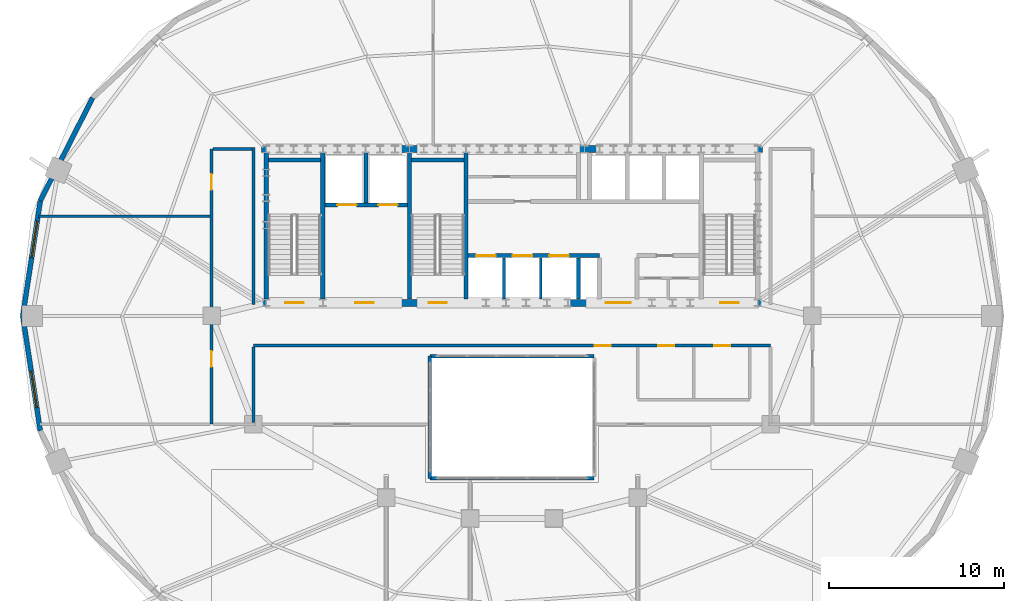
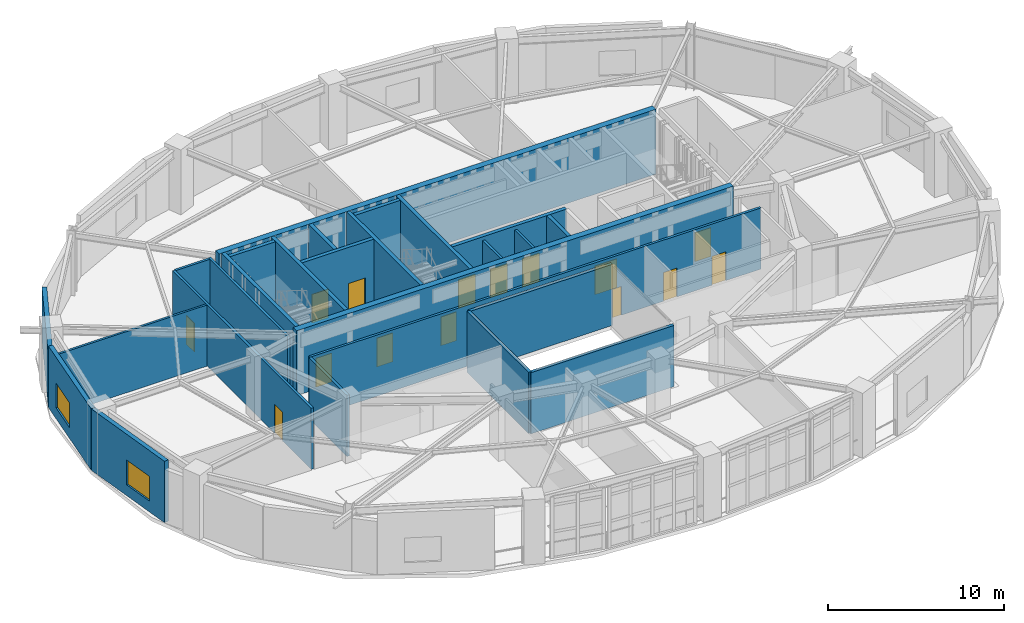
# One storey, part 9 of 13: 26 walls, 15 doors, 2 windows, 17 openings.
"""IFC4 building model written with IfcOpenShell, lengths in metres."""

from ifc_helpers import new_model, si_unit, direction, frame, frame_2d, origin, place, context, subcontext, project, spatial, rectangle, extrude, material, layer, layer_set, type_object, element, fill, save


model = new_model("IFC4")

# Units and contexts
model_context = context("Model", 3, precision=1e-05, world=origin(), true_north=direction((0.0, 1.0)))
body_context = subcontext(model_context, "Body", "Model", "MODEL_VIEW")
ifc_project = project(units=[si_unit("LENGTHUNIT", "METRE"), si_unit("AREAUNIT", "SQUARE_METRE"), si_unit("VOLUMEUNIT", "CUBIC_METRE"), si_unit("PLANEANGLEUNIT", "RADIAN"), si_unit("MASSUNIT", "GRAM", prefix="KILO")], contexts=[model_context])

# Site, building, storey
site_placement = place(None, origin())
site = spatial("IfcSite", under=ifc_project, at=site_placement, CompositionType="ELEMENT")
building_placement = place(site_placement, origin())
building = spatial("IfcBuilding", under=site, at=building_placement, Name="Haldorwick Loom Tower", CompositionType="ELEMENT")
storey_placement = place(building_placement, frame((0.0, 0.0, 188.949951171875)))
storey = spatial("IfcBuildingStorey", under=building, at=storey_placement, Name="L51", CompositionType="ELEMENT", Elevation=188.949951171875)

# Wall
ifc_material_1 = material(Name="Pressed Clay Face Brick and Insulated Masonry Backup Assembly", Category="masonry")
ifc_layer_1 = layer(ifc_material_1, 0.280029296875, Name="Pressed Clay Face Brick and Insulated Masonry Backup Assembly", Category="masonry")
ifc_layer_set_1 = layer_set([ifc_layer_1], Name="Pressed Clay Face Brick and Insulated Masonry Backup Assembly")
wall_type_1 = type_object("IfcWallType", Name="ARC-WL-EXT280", PredefinedType="STANDARD", material=ifc_layer_set_1)
wall_1_placement = place(storey_placement, frame((11.994384765625, 38.4853515625, 0.0), z_axis=(0.0, 0.0, 1.0), x_axis=(-0.453032066879, -0.89149422117, 0.0)))
element("IfcWall", 1, at=wall_1_placement, inside=storey, type_object=wall_type_1, Name="L51 Brick Pier and Spandrel Wall 11", PredefinedType="STANDARD", context=body_context, shape_type="SweptSolid", body=[
    extrude(rectangle(XDim=6.618896484375, YDim=0.280029296875, at=frame_2d((3.3095703125, 0.0))), origin(), (0.0, 0.0, 1.0), 3.691162109375),
])

# Wall, opening, window
wall_2_placement = place(storey_placement, frame((8.995849609375, 32.584716796875, 0.0), z_axis=(0.0, 0.0, 1.0), x_axis=(-0.150467697578, -0.988614926038, 0.0)))
wall_2 = element("IfcWall", 2, at=wall_2_placement, inside=storey, type_object=wall_type_1, Name="L51 Brick Pier and Spandrel Wall 12", PredefinedType="STANDARD", context=body_context, shape_type="SweptSolid", body=[
    extrude(rectangle(XDim=6.66064453125, YDim=0.280029296875, at=frame_2d((3.330322265625, 0.0))), origin(), (0.0, 0.0, 1.0), 4.260009765625),
])
opening_1_placement = place(wall_2_placement, frame((1.17578125, 0.0, 0.75)))
opening_1 = element("IfcOpeningElement", 3, at=opening_1_placement, cuts=wall_2, Name="Opening W-04", PredefinedType="OPENING", context=body_context, shape_type="SweptSolid", body=[
    extrude(rectangle(XDim=2.10009765625, YDim=1.719970703125, at=frame_2d((1.050048828125, 0.85986328125))), frame((0.0, 0.14990234375, 0.0), z_axis=(0.0, -1.0, 0.0), x_axis=(1.0, 0.0, 0.0)), (0.0, 0.0, 1.0), 0.300048828125),
])
ifc_material_2 = material(Name="Triple-Glazed Low-E Argon Insulated Glazing Unit", Category="glass")
window_type = type_object("IfcWindowType", Name="ARC-WIN-W210", PartitioningType="SINGLE_PANEL", PredefinedType="WINDOW", material=ifc_material_2)
window_1_placement = place(opening_1_placement, origin())
window_1 = element("IfcWindow", 4, at=window_1_placement, inside=storey, type_object=window_type, Name="L51 Deep-Set Zone 7A Window 12", OverallHeight=1.719970703125, OverallWidth=2.10009765625, PartitioningType="SINGLE_PANEL", PredefinedType="WINDOW", context=body_context, shape_type="SweptSolid", body=[
    extrude(rectangle(XDim=2.10009765625, YDim=1.719970703125, at=frame_2d((1.050048828125, 0.85986328125))), frame((0.0, 0.030029296875, 0.0), z_axis=(0.0, -1.0, 0.0), x_axis=(1.0, 0.0, 0.0)), (0.0, 0.0, 1.0), 0.06005859375),
])
fill(opening_1, window_1)

wall_3_placement = place(storey_placement, frame((7.99365234375, 26.0, 0.0), z_axis=(0.0, 0.0, 1.0), x_axis=(0.150467697578, -0.988614926038, 0.0)))
wall_3 = element("IfcWall", 5, at=wall_3_placement, inside=storey, type_object=wall_type_1, Name="L51 Brick Pier and Spandrel Wall 13", PredefinedType="STANDARD", context=body_context, shape_type="SweptSolid", body=[
    extrude(rectangle(XDim=6.66064453125, YDim=0.280029296875, at=frame_2d((3.330322265625, 0.0))), origin(), (0.0, 0.0, 1.0), 4.260009765625),
])
opening_2_placement = place(wall_3_placement, frame((3.20556640625, 0.0, 0.75)))
opening_2 = element("IfcOpeningElement", 6, at=opening_2_placement, cuts=wall_3, Name="Opening W-04", PredefinedType="OPENING", context=body_context, shape_type="SweptSolid", body=[
    extrude(rectangle(XDim=2.10009765625, YDim=1.719970703125, at=frame_2d((1.050048828125, 0.85986328125))), frame((0.0, 0.14990234375, 0.0), z_axis=(0.0, -1.0, 0.0), x_axis=(1.0, 0.0, 0.0)), (0.0, 0.0, 1.0), 0.300048828125),
])
window_2_placement = place(opening_2_placement, origin())
window_2 = element("IfcWindow", 7, at=window_2_placement, inside=storey, type_object=window_type, Name="L51 Deep-Set Zone 7A Window 13", OverallHeight=1.719970703125, OverallWidth=2.10009765625, PartitioningType="SINGLE_PANEL", PredefinedType="WINDOW", context=body_context, shape_type="SweptSolid", body=[
    extrude(rectangle(XDim=2.10009765625, YDim=1.719970703125, at=frame_2d((1.050048828125, 0.85986328125))), frame((0.0, 0.030029296875, 0.0), z_axis=(0.0, -1.0, 0.0), x_axis=(1.0, 0.0, 0.0)), (0.0, 0.0, 1.0), 0.06005859375),
])
fill(opening_2, window_2)

# Wall, openings, doors
ifc_material_3 = material(Name="Fire-Rated Type X Gypsum Stud Assembly EI 60")
ifc_layer_2 = layer(ifc_material_3, 0.159912109375, Name="Fire-Rated Type X Gypsum Stud Assembly EI 60")
ifc_layer_set_2 = layer_set([ifc_layer_2], Name="Fire-Rated Type X Gypsum Stud Assembly EI 60")
wall_type_2 = type_object("IfcWallType", Name="ARC-WL-FIRE160", PredefinedType="PARTITIONING", material=ifc_layer_set_2)
wall_4_placement = place(storey_placement, frame((21.199951171875, 24.300048828125, 0.0), z_axis=(0.0, 0.0, 1.0), x_axis=(1.0, 0.0, 0.0)))
wall_4 = element("IfcWall", 8, at=wall_4_placement, inside=storey, type_object=wall_type_2, Name="L51 Interior Partition L51-CS", PredefinedType="PARTITIONING", context=body_context, shape_type="SweptSolid", body=[
    extrude(rectangle(XDim=29.60009765625, YDim=0.159912109375, at=frame_2d((14.800048828125, 0.0))), origin(), (0.0, 0.0, 1.0), 4.2451171875),
])
opening_3_placement = place(wall_4_placement, frame((19.5400390625, 0.0, 0.0)))
opening_3 = element("IfcOpeningElement", 9, at=opening_3_placement, cuts=wall_4, Name="Opening D-FD60A", PredefinedType="OPENING", context=body_context, shape_type="SweptSolid", body=[
    extrude(rectangle(XDim=0.89990234375, YDim=2.0, at=frame_2d((0.449951171875, 1.0))), frame((0.0, 0.08984375, 0.0), z_axis=(0.0, -1.0, 0.0), x_axis=(1.0, 0.0, 0.0)), (0.0, 0.0, 1.0), 0.179931640625),
])
opening_4_placement = place(wall_4_placement, frame((26.388916015625, 0.0, 0.0)))
opening_4 = element("IfcOpeningElement", 10, at=opening_4_placement, cuts=wall_4, Name="Opening D-FD60A", PredefinedType="OPENING", context=body_context, shape_type="SweptSolid", body=[
    extrude(rectangle(XDim=0.89990234375, YDim=2.0, at=frame_2d((0.449951171875, 1.0))), frame((0.0, 0.08984375, 0.0), z_axis=(0.0, -1.0, 0.0), x_axis=(1.0, 0.0, 0.0)), (0.0, 0.0, 1.0), 0.179931640625),
])
opening_5_placement = place(wall_4_placement, frame((23.185791015625, 0.0, 0.0)))
opening_5 = element("IfcOpeningElement", 11, at=opening_5_placement, cuts=wall_4, Name="Opening D-FD60A", PredefinedType="OPENING", context=body_context, shape_type="SweptSolid", body=[
    extrude(rectangle(XDim=0.89990234375, YDim=2.0, at=frame_2d((0.449951171875, 1.0))), frame((0.0, 0.08984375, 0.0), z_axis=(0.0, -1.0, 0.0), x_axis=(1.0, 0.0, 0.0)), (0.0, 0.0, 1.0), 0.179931640625),
])
ifc_material_4 = material(Name="Hollow Steel Fire Door Assembly", Category="steel")
door_type_1 = type_object("IfcDoorType", Name="ARC-DR-FD60-90", OperationType="NOTDEFINED", PredefinedType="DOOR", material=ifc_material_4)
door_1_placement = place(opening_3_placement, origin())
door_1 = element("IfcDoor", 12, at=door_1_placement, inside=storey, type_object=door_type_1, Name="L51 L51 Central Transfer Corridor to Maker Craft Workshop 3 Door", OperationType="SINGLE_SWING_LEFT", OverallHeight=2.0, OverallWidth=0.89990234375, PredefinedType="DOOR", context=body_context, shape_type="SweptSolid", body=[
    extrude(rectangle(XDim=0.89990234375, YDim=2.0, at=frame_2d((0.449951171875, 1.0))), frame((0.0, 0.02490234375, 0.0), z_axis=(0.0, -1.0, 0.0), x_axis=(1.0, 0.0, 0.0)), (0.0, 0.0, 1.0), 0.050048828125),
])
fill(opening_3, door_1)
door_2_placement = place(opening_4_placement, origin())
door_2 = element("IfcDoor", 13, at=door_2_placement, inside=storey, type_object=door_type_1, Name="L51 L51 Central Transfer Corridor to Accessible WC Door", OperationType="SINGLE_SWING_RIGHT", OverallHeight=2.0, OverallWidth=0.89990234375, PredefinedType="DOOR", context=body_context, shape_type="SweptSolid", body=[
    extrude(rectangle(XDim=0.89990234375, YDim=2.0, at=frame_2d((0.449951171875, 1.0))), frame((0.0, 0.02490234375, 0.0), z_axis=(0.0, -1.0, 0.0), x_axis=(1.0, 0.0, 0.0)), (0.0, 0.0, 1.0), 0.050048828125),
])
fill(opening_4, door_2)
door_3_placement = place(opening_5_placement, origin())
door_3 = element("IfcDoor", 14, at=door_3_placement, inside=storey, type_object=door_type_1, Name="L51 L51 Central Transfer Corridor to Public Washroom Door", OperationType="SINGLE_SWING_LEFT", OverallHeight=2.0, OverallWidth=0.89990234375, PredefinedType="DOOR", context=body_context, shape_type="SweptSolid", body=[
    extrude(rectangle(XDim=0.89990234375, YDim=2.0, at=frame_2d((0.449951171875, 1.0))), frame((0.0, 0.02490234375, 0.0), z_axis=(0.0, -1.0, 0.0), x_axis=(1.0, 0.0, 0.0)), (0.0, 0.0, 1.0), 0.050048828125),
])
fill(opening_5, door_3)

wall_5_placement = place(storey_placement, frame((18.800048828125, 19.800048828125, 0.0), z_axis=(0.0, 0.0, 1.0), x_axis=(0.0, 1.0, 0.0)))
wall_5 = element("IfcWall", 15, at=wall_5_placement, inside=storey, type_object=wall_type_2, Name="L51 Interior Partition L51-CW0", PredefinedType="PARTITIONING", context=body_context, shape_type="SweptSolid", body=[
    extrude(rectangle(XDim=15.75, YDim=0.159912109375, at=frame_2d((7.875, 0.0))), origin(), (0.0, 0.0, 1.0), 4.2451171875),
])
opening_6_placement = place(wall_5_placement, frame((3.28466796875, 0.0, 0.0)))
opening_6 = element("IfcOpeningElement", 16, at=opening_6_placement, cuts=wall_5, Name="Opening D-FD60A", PredefinedType="OPENING", context=body_context, shape_type="SweptSolid", body=[
    extrude(rectangle(XDim=0.89990234375, YDim=2.0, at=frame_2d((0.449951171875, 1.0))), frame((0.0, 0.08984375, 0.0), z_axis=(0.0, -1.0, 0.0), x_axis=(1.0, 0.0, 0.0)), (0.0, 0.0, 1.0), 0.179931640625),
])
opening_7_placement = place(wall_5_placement, frame((13.414306640625, 0.0, 0.0)))
opening_7 = element("IfcOpeningElement", 17, at=opening_7_placement, cuts=wall_5, Name="Opening D-FD60A", PredefinedType="OPENING", context=body_context, shape_type="SweptSolid", body=[
    extrude(rectangle(XDim=0.89990234375, YDim=2.0, at=frame_2d((0.449951171875, 1.0))), frame((0.0, 0.08984375, 0.0), z_axis=(0.0, -1.0, 0.0), x_axis=(1.0, 0.0, 0.0)), (0.0, 0.0, 1.0), 0.179931640625),
])
door_4_placement = place(opening_6_placement, frame((0.89990234375, 0.0, 0.0), z_axis=(0.0, 0.0, 1.0), x_axis=(-1.0, 0.0, 0.0)))
door_4 = element("IfcDoor", 18, at=door_4_placement, inside=storey, type_object=door_type_1, Name="L51 Upper Co-Working Hub 6 to L51 Central Transfer Corridor Door", OperationType="SINGLE_SWING_RIGHT", OverallHeight=2.0, OverallWidth=0.89990234375, PredefinedType="DOOR", context=body_context, shape_type="SweptSolid", body=[
    extrude(rectangle(XDim=0.89990234375, YDim=2.0, at=frame_2d((0.449951171875, 1.0))), frame((0.0, 0.02490234375, 0.0), z_axis=(0.0, -1.0, 0.0), x_axis=(1.0, 0.0, 0.0)), (0.0, 0.0, 1.0), 0.050048828125),
])
fill(opening_6, door_4)
door_5_placement = place(opening_7_placement, frame((0.89990234375, 0.0, 0.0), z_axis=(0.0, 0.0, 1.0), x_axis=(-1.0, 0.0, 0.0)))
door_5 = element("IfcDoor", 19, at=door_5_placement, inside=storey, type_object=door_type_1, Name="L51 Community Reading Hall 10 to L51 Central Transfer Corridor Door", OperationType="SINGLE_SWING_RIGHT", OverallHeight=2.0, OverallWidth=0.89990234375, PredefinedType="DOOR", context=body_context, shape_type="SweptSolid", body=[
    extrude(rectangle(XDim=0.89990234375, YDim=2.0, at=frame_2d((0.449951171875, 1.0))), frame((0.0, 0.02490234375, 0.0), z_axis=(0.0, -1.0, 0.0), x_axis=(1.0, 0.0, 0.0)), (0.0, 0.0, 1.0), 0.050048828125),
])
fill(opening_7, door_5)

# Walls
wall_6_placement = place(storey_placement, frame((21.199951171875, 19.883056640625, 0.0), z_axis=(0.0, 0.0, 1.0), x_axis=(0.0, 1.0, 0.0)))
element("IfcWall", 20, at=wall_6_placement, inside=storey, type_object=wall_type_2, Name="L51 Interior Partition L51-CW1", PredefinedType="PARTITIONING", context=body_context, shape_type="SweptSolid", body=[
    extrude(rectangle(XDim=4.333984375, YDim=0.159912109375, at=frame_2d((2.1669921875, 0.0))), origin(), (0.0, 0.0, 1.0), 4.2451171875),
])
wall_7_placement = place(storey_placement, frame((21.199951171875, 26.64990234375, 0.0), z_axis=(0.0, 0.0, 1.0), x_axis=(0.0, 1.0, 0.0)))
element("IfcWall", 21, at=wall_7_placement, inside=storey, type_object=wall_type_2, Name="L51 Interior Partition L51-CW2", PredefinedType="PARTITIONING", context=body_context, shape_type="SweptSolid", body=[
    extrude(rectangle(XDim=9.0, YDim=0.159912109375, at=frame_2d((4.5, 0.0))), origin(), (0.0, 0.0, 1.0), 4.2451171875),
])
wall_8_placement = place(storey_placement, frame((18.883056640625, 35.550048828125, 0.0), z_axis=(0.0, 0.0, 1.0), x_axis=(1.0, 0.0, 0.0)))
element("IfcWall", 22, at=wall_8_placement, inside=storey, type_object=wall_type_2, Name="L51 Interior Partition L51-CWN", PredefinedType="PARTITIONING", context=body_context, shape_type="SweptSolid", body=[
    extrude(rectangle(XDim=2.23388671875, YDim=0.159912109375, at=frame_2d((1.116943359375, 0.0))), origin(), (0.0, 0.0, 1.0), 4.2451171875),
])
ifc_material_5 = material(Name="Fire-Rated Type X Gypsum Stud Assembly EI 120")
ifc_layer_3 = layer(ifc_material_5, 0.199951171875, Name="Fire-Rated Type X Gypsum Stud Assembly EI 120")
ifc_layer_set_3 = layer_set([ifc_layer_3], Name="Fire-Rated Type X Gypsum Stud Assembly EI 120")
wall_type_3 = type_object("IfcWallType", Name="ARC-WL-FIRE200", PredefinedType="PARTITIONING", material=ifc_layer_set_3)
for number, where, z_axis, x_axis, name in (
    (23, (31.300048828125, 23.699951171875, 0.0), (0.0, 0.0, 1.0), (1.0, 0.0, 0.0), "L51 Atrium Fire Wall"),
    (24, (40.699951171875, 16.699951171875, 0.0), (0.0, 0.0, 1.0), (-1.0, 0.0, 0.0), "L51 Atrium Fire Wall"),
):
    element("IfcWall", number, at=place(storey_placement, frame(where, z_axis=z_axis, x_axis=x_axis)), inside=storey, type_object=wall_type_3, Name=name, PredefinedType="PARTITIONING", context=body_context, shape_type="SweptSolid", body=[
        extrude(rectangle(XDim=9.39990234375, YDim=0.199951171875, at=frame_2d((4.699951171875, 0.0))), origin(), (0.0, 0.0, 1.0), 4.2451171875),
    ])
wall_9_placement = place(storey_placement, frame((31.300048828125, 16.699951171875, 0.0), z_axis=(0.0, 0.0, 1.0), x_axis=(0.0, 1.0, 0.0)))
element("IfcWall", 25, at=wall_9_placement, inside=storey, type_object=wall_type_3, Name="L51 Atrium Fire Wall", PredefinedType="PARTITIONING", context=body_context, shape_type="SweptSolid", body=[
    extrude(rectangle(XDim=7.0, YDim=0.199951171875, at=frame_2d((3.5, 0.0))), origin(), (0.0, 0.0, 1.0), 4.2451171875),
])
ifc_layer_4 = layer(ifc_material_3, 0.139892578125, Name="Fire-Rated Type X Gypsum Stud Assembly EI 60")
ifc_layer_set_4 = layer_set([ifc_layer_4], Name="Fire-Rated Type X Gypsum Stud Assembly EI 60")
wall_type_4 = type_object("IfcWallType", Name="ARC-WL-PART140", PredefinedType="PARTITIONING", material=ifc_layer_set_4)
wall_10_placement = place(storey_placement, frame((8.90673828125, 31.699951171875, 0.0), z_axis=(0.0, 0.0, 1.0), x_axis=(1.0, 0.0, 0.0)))
element("IfcWall", 26, at=wall_10_placement, inside=storey, type_object=wall_type_4, Name="L51 Interior Partition L51-WL-N", PredefinedType="PARTITIONING", context=body_context, shape_type="SweptSolid", body=[
    extrude(rectangle(XDim=9.810302734375, YDim=0.139892578125, at=frame_2d((4.9052734375, 0.0))), origin(), (0.0, 0.0, 1.0), 4.2451171875),
])
ifc_layer_5 = layer(ifc_material_5, 0.1650390625, Name="Fire-Rated Type X Gypsum Stud Assembly EI 120")
ifc_layer_set_5 = layer_set([ifc_layer_5], Name="Fire-Rated Type X Gypsum Stud Assembly EI 120")
wall_type_5 = type_object("IfcWallType", Name="ARC-WL-SHAFT160", PredefinedType="MOVABLE", material=ifc_layer_set_5)
for number, where, z_axis, x_axis, name in (
    (27, (35.550048828125, 26.952880859375, 0.0), (0.0, 0.0, 1.0), (0.0, 1.0, 0.0), "L51 Mid-Rise Hoistway Divider 1"),
    (28, (37.64990234375, 26.952880859375, 0.0), (0.0, 0.0, 1.0), (0.0, 1.0, 0.0), "L51 Mid-Rise Hoistway Divider 2"),
):
    element("IfcWall", number, at=place(storey_placement, frame(where, z_axis=z_axis, x_axis=x_axis)), inside=storey, type_object=wall_type_5, Name=name, PredefinedType="MOVABLE", context=body_context, shape_type="SweptSolid", body=[
        extrude(rectangle(XDim=2.3740234375, YDim=0.159912109375, at=frame_2d((1.18701171875, 0.0))), origin(), (0.0, 0.0, 1.0), 4.2451171875),
    ])

# Wall, openings, doors
ifc_material_6 = material(Name="Concrete C50 (50 MPa)", Category="concrete")
ifc_layer_6 = layer(ifc_material_6, 0.39990234375, Name="Concrete C50 (50 MPa)", Category="concrete")
ifc_layer_set_6 = layer_set([ifc_layer_6], Name="Concrete C50 (50 MPa)")
wall_type_6 = type_object("IfcWallType", Name="STR-WL-CORE400", PredefinedType="SHEAR", material=ifc_layer_set_6)
wall_11_placement = place(storey_placement, frame((21.64990234375, 26.75, 0.0), z_axis=(0.0, 0.0, 1.0), x_axis=(1.0, 0.0, 0.0)))
wall_11 = element("IfcWall", 29, at=wall_11_placement, inside=storey, type_object=wall_type_6, Name="L51 Core Shear Wall S", PredefinedType="SHEAR", context=body_context, shape_type="SweptSolid", body=[
    extrude(rectangle(XDim=28.7001953125, YDim=0.39990234375, at=frame_2d((14.35009765625, 0.0))), origin(), (0.0, 0.0, 1.0), 4.5),
])
opening_8_placement = place(wall_11_placement, frame((1.375, 0.0, 0.0)))
opening_8 = element("IfcOpeningElement", 30, at=opening_8_placement, cuts=wall_11, Name="Opening D-FD60", PredefinedType="OPENING", context=body_context, shape_type="SweptSolid", body=[
    extrude(rectangle(XDim=1.050048828125, YDim=2.0, at=frame_2d((0.52490234375, 1.0))), frame((0.0, 0.2099609375, 0.0), z_axis=(0.0, -1.0, 0.0), x_axis=(1.0, 0.0, 0.0)), (0.0, 0.0, 1.0), 0.419921875),
])
opening_9_placement = place(wall_11_placement, frame((5.375, 0.0, 0.0)))
opening_9 = element("IfcOpeningElement", 31, at=opening_9_placement, cuts=wall_11, Name="Opening D-FD60", PredefinedType="OPENING", context=body_context, shape_type="SweptSolid", body=[
    extrude(rectangle(XDim=1.050048828125, YDim=2.0, at=frame_2d((0.52490234375, 1.0))), frame((0.0, 0.2099609375, 0.0), z_axis=(0.0, -1.0, 0.0), x_axis=(1.0, 0.0, 0.0)), (0.0, 0.0, 1.0), 0.419921875),
])
opening_10_placement = place(wall_11_placement, frame((9.574951171875, 0.0, 0.0)))
opening_10 = element("IfcOpeningElement", 32, at=opening_10_placement, cuts=wall_11, Name="Opening D-FD60", PredefinedType="OPENING", context=body_context, shape_type="SweptSolid", body=[
    extrude(rectangle(XDim=1.050048828125, YDim=2.0, at=frame_2d((0.52490234375, 1.0))), frame((0.0, 0.2099609375, 0.0), z_axis=(0.0, -1.0, 0.0), x_axis=(1.0, 0.0, 0.0)), (0.0, 0.0, 1.0), 0.419921875),
])
opening_11_placement = place(wall_11_placement, frame((19.705078125, 0.0, 0.0)))
opening_11 = element("IfcOpeningElement", 33, at=opening_11_placement, cuts=wall_11, Name="Opening D-LB15", PredefinedType="OPENING", context=body_context, shape_type="SweptSolid", body=[
    extrude(rectangle(XDim=1.449951171875, YDim=2.0, at=frame_2d((0.72509765625, 1.0))), frame((0.0, 0.2099609375, 0.0), z_axis=(0.0, -1.0, 0.0), x_axis=(1.0, 0.0, 0.0)), (0.0, 0.0, 1.0), 0.419921875),
])
opening_12_placement = place(wall_11_placement, frame((26.27490234375, 0.0, 0.0)))
opening_12 = element("IfcOpeningElement", 34, at=opening_12_placement, cuts=wall_11, Name="Opening D-FD60", PredefinedType="OPENING", context=body_context, shape_type="SweptSolid", body=[
    extrude(rectangle(XDim=1.050048828125, YDim=2.0, at=frame_2d((0.52490234375, 1.0))), frame((0.0, 0.2099609375, 0.0), z_axis=(0.0, -1.0, 0.0), x_axis=(1.0, 0.0, 0.0)), (0.0, 0.0, 1.0), 0.419921875),
])
door_type_2 = type_object("IfcDoorType", Name="ARC-DR-FD60", OperationType="NOTDEFINED", PredefinedType="DOOR", material=ifc_material_4)
door_6_placement = place(opening_8_placement, origin())
door_6 = element("IfcDoor", 35, at=door_6_placement, inside=storey, type_object=door_type_2, Name="L51 Exit Stair ST-01 Fire Door", OperationType="SINGLE_SWING_LEFT", OverallHeight=2.0, OverallWidth=1.050048828125, PredefinedType="DOOR", context=body_context, shape_type="SweptSolid", body=[
    extrude(rectangle(XDim=1.050048828125, YDim=2.0, at=frame_2d((0.52490234375, 1.0))), frame((0.0, 0.02490234375, 0.0), z_axis=(0.0, -1.0, 0.0), x_axis=(1.0, 0.0, 0.0)), (0.0, 0.0, 1.0), 0.050048828125),
])
fill(opening_8, door_6)
door_7_placement = place(opening_9_placement, origin())
door_7 = element("IfcDoor", 36, at=door_7_placement, inside=storey, type_object=door_type_2, Name="L51 Firefighting Lift Lobby Fire Door", OperationType="SINGLE_SWING_RIGHT", OverallHeight=2.0, OverallWidth=1.050048828125, PredefinedType="DOOR", context=body_context, shape_type="SweptSolid", body=[
    extrude(rectangle(XDim=1.050048828125, YDim=2.0, at=frame_2d((0.52490234375, 1.0))), frame((0.0, 0.02490234375, 0.0), z_axis=(0.0, -1.0, 0.0), x_axis=(1.0, 0.0, 0.0)), (0.0, 0.0, 1.0), 0.050048828125),
])
fill(opening_9, door_7)
door_8_placement = place(opening_10_placement, origin())
door_8 = element("IfcDoor", 37, at=door_8_placement, inside=storey, type_object=door_type_2, Name="L51 Exit Stair ST-03 Fire Door", OperationType="SINGLE_SWING_LEFT", OverallHeight=2.0, OverallWidth=1.050048828125, PredefinedType="DOOR", context=body_context, shape_type="SweptSolid", body=[
    extrude(rectangle(XDim=1.050048828125, YDim=2.0, at=frame_2d((0.52490234375, 1.0))), frame((0.0, 0.02490234375, 0.0), z_axis=(0.0, -1.0, 0.0), x_axis=(1.0, 0.0, 0.0)), (0.0, 0.0, 1.0), 0.050048828125),
])
fill(opening_10, door_8)
door_9_placement = place(opening_12_placement, origin())
door_9 = element("IfcDoor", 38, at=door_9_placement, inside=storey, type_object=door_type_2, Name="L51 Exit Stair ST-02 Fire Door", OperationType="SINGLE_SWING_LEFT", OverallHeight=2.0, OverallWidth=1.050048828125, PredefinedType="DOOR", context=body_context, shape_type="SweptSolid", body=[
    extrude(rectangle(XDim=1.050048828125, YDim=2.0, at=frame_2d((0.52490234375, 1.0))), frame((0.0, 0.02490234375, 0.0), z_axis=(0.0, -1.0, 0.0), x_axis=(1.0, 0.0, 0.0)), (0.0, 0.0, 1.0), 0.050048828125),
])
fill(opening_12, door_9)
ifc_material_7 = material(Name="Thermally Broken Anodized Aluminium and Tempered Glass", Category="aluminium")
door_type_3 = type_object("IfcDoorType", Name="ARC-DR-LOB150", OperationType="NOTDEFINED", PredefinedType="DOOR", material=ifc_material_7)
door_10_placement = place(opening_11_placement, frame((1.449951171875, 0.0, 0.0), z_axis=(0.0, 0.0, 1.0), x_axis=(-1.0, 0.0, 0.0)))
door_10 = element("IfcDoor", 39, at=door_10_placement, inside=storey, type_object=door_type_3, Name="L51 Passenger Lift Lobby Fire Door", OperationType="DOUBLE_DOOR_SINGLE_SWING", OverallHeight=2.0, OverallWidth=1.449951171875, PredefinedType="DOOR", context=body_context, shape_type="SweptSolid", body=[
    extrude(rectangle(XDim=1.449951171875, YDim=2.0, at=frame_2d((0.72509765625, 1.0))), frame((0.0, 0.02490234375, 0.0), z_axis=(0.0, -1.0, 0.0), x_axis=(1.0, 0.0, 0.0)), (0.0, 0.0, 1.0), 0.050048828125),
])
fill(opening_11, door_10)

# Walls
wall_12_placement = place(storey_placement, frame((50.35009765625, 35.550048828125, 0.0), z_axis=(0.0, 0.0, 1.0), x_axis=(-1.0, 0.0, 0.0)))
element("IfcWall", 40, at=wall_12_placement, inside=storey, type_object=wall_type_6, Name="L51 Core Shear Wall N", PredefinedType="SHEAR", context=body_context, shape_type="SweptSolid", body=[
    extrude(rectangle(XDim=28.7001953125, YDim=0.39990234375, at=frame_2d((14.35009765625, 0.0))), origin(), (0.0, 0.0, 1.0), 4.5),
])
ifc_layer_7 = layer(ifc_material_6, 0.239990234375, Name="Concrete C50 (50 MPa)", Category="concrete")
ifc_layer_set_7 = layer_set([ifc_layer_7], Name="Concrete C50 (50 MPa)")
wall_type_7 = type_object("IfcWallType", Name="STR-WL-SHAFT240", PredefinedType="SHEAR", material=ifc_layer_set_7)
for number, where, z_axis, x_axis, name in (
    (41, (21.929931640625, 35.346923828125, 0.0), (0.0, 0.0, 1.0), (0.0, -1.0, 0.0), "L51 Core Shear Wall W"),
    (42, (25.169921875, 26.952880859375, 0.0), (0.0, 0.0, 1.0), (0.0, 1.0, 0.0), "L51 Core Shear Wall 1"),
):
    element("IfcWall", number, at=place(storey_placement, frame(where, z_axis=z_axis, x_axis=x_axis)), inside=storey, type_object=wall_type_7, Name=name, PredefinedType="SHEAR", context=body_context, shape_type="SweptSolid", body=[
        extrude(rectangle(XDim=8.39404296875, YDim=0.239990234375, at=frame_2d((4.197021484375, 0.0))), origin(), (0.0, 0.0, 1.0), 4.5),
    ])
wall_13_placement = place(storey_placement, frame((22.052978515625, 34.919921875, 0.0), z_axis=(0.0, 0.0, 1.0), x_axis=(1.0, 0.0, 0.0)))
element("IfcWall", 43, at=wall_13_placement, inside=storey, type_object=wall_type_7, Name="L51 Core Shear Wall 1N", PredefinedType="SHEAR", context=body_context, shape_type="SweptSolid", body=[
    extrude(rectangle(XDim=2.994140625, YDim=0.239990234375, at=frame_2d((1.4970703125, 0.0))), origin(), (0.0, 0.0, 1.0), 4.5),
])
for number, where, z_axis, x_axis, name in (
    (44, (30.1298828125, 26.952880859375, 0.0), (0.0, 0.0, 1.0), (0.0, 1.0, 0.0), "L51 Core Shear Wall 2"),
    (45, (33.3701171875, 26.952880859375, 0.0), (0.0, 0.0, 1.0), (0.0, 1.0, 0.0), "L51 Core Shear Wall 3"),
):
    element("IfcWall", number, at=place(storey_placement, frame(where, z_axis=z_axis, x_axis=x_axis)), inside=storey, type_object=wall_type_7, Name=name, PredefinedType="SHEAR", context=body_context, shape_type="SweptSolid", body=[
        extrude(rectangle(XDim=8.39404296875, YDim=0.239990234375, at=frame_2d((4.197021484375, 0.0))), origin(), (0.0, 0.0, 1.0), 4.5),
    ])
wall_14_placement = place(storey_placement, frame((30.2529296875, 34.919921875, 0.0), z_axis=(0.0, 0.0, 1.0), x_axis=(1.0, 0.0, 0.0)))
element("IfcWall", 46, at=wall_14_placement, inside=storey, type_object=wall_type_7, Name="L51 Core Shear Wall 3N", PredefinedType="SHEAR", context=body_context, shape_type="SweptSolid", body=[
    extrude(rectangle(XDim=2.994140625, YDim=0.239990234375, at=frame_2d((1.4970703125, 0.0))), origin(), (0.0, 0.0, 1.0), 4.5),
])

# Wall, openings, doors
wall_15_placement = place(storey_placement, frame((25.29296875, 32.35009765625, 0.0), z_axis=(0.0, 0.0, 1.0), x_axis=(1.0, 0.0, 0.0)))
wall_15 = element("IfcWall", 47, at=wall_15_placement, inside=storey, type_object=wall_type_7, Name="L51 Core Shear Wall FF", PredefinedType="SHEAR", context=body_context, shape_type="SweptSolid", body=[
    extrude(rectangle(XDim=4.714111328125, YDim=0.239990234375, at=frame_2d((2.35693359375, 0.0))), origin(), (0.0, 0.0, 1.0), 4.5),
])
opening_13_placement = place(wall_15_placement, frame((0.70703125, 0.0, 0.0)))
opening_13 = element("IfcOpeningElement", 48, at=opening_13_placement, cuts=wall_15, Name="Opening LD-FF1", PredefinedType="OPENING", context=body_context, shape_type="SweptSolid", body=[
    extrude(rectangle(XDim=1.10009765625, YDim=2.0, at=frame_2d((0.550048828125, 1.0))), frame((0.0, 0.1298828125, 0.0), z_axis=(0.0, -1.0, 0.0), x_axis=(1.0, 0.0, 0.0)), (0.0, 0.0, 1.0), 0.260009765625),
])
opening_14_placement = place(wall_15_placement, frame((3.056884765625, 0.0, 0.0)))
opening_14 = element("IfcOpeningElement", 49, at=opening_14_placement, cuts=wall_15, Name="Opening LD-FF2", PredefinedType="OPENING", context=body_context, shape_type="SweptSolid", body=[
    extrude(rectangle(XDim=1.10009765625, YDim=2.0, at=frame_2d((0.550048828125, 1.0))), frame((0.0, 0.1298828125, 0.0), z_axis=(0.0, -1.0, 0.0), x_axis=(1.0, 0.0, 0.0)), (0.0, 0.0, 1.0), 0.260009765625),
])
door_type_4 = type_object("IfcDoorType", Name="ARC-DR-LD-FF", OperationType="NOTDEFINED", PredefinedType="USERDEFINED", material=ifc_material_4)
door_11_placement = place(opening_13_placement, origin())
door_11 = element("IfcDoor", 50, at=door_11_placement, inside=storey, type_object=door_type_4, Name="L51 Lift LF-FF1 Sliding Landing Door", ObjectType="LANDING DOOR", OperationType="DOUBLE_DOOR_SLIDING", OverallHeight=2.0, OverallWidth=1.10009765625, PredefinedType="USERDEFINED", context=body_context, shape_type="SweptSolid", body=[
    extrude(rectangle(XDim=1.10009765625, YDim=2.0, at=frame_2d((0.550048828125, 1.0))), frame((0.0, 0.02490234375, 0.0), z_axis=(0.0, -1.0, 0.0), x_axis=(1.0, 0.0, 0.0)), (0.0, 0.0, 1.0), 0.050048828125),
])
fill(opening_13, door_11)
door_12_placement = place(opening_14_placement, origin())
door_12 = element("IfcDoor", 51, at=door_12_placement, inside=storey, type_object=door_type_4, Name="L51 Lift LF-FF2 Sliding Landing Door", ObjectType="LANDING DOOR", OperationType="DOUBLE_DOOR_SLIDING", OverallHeight=2.0, OverallWidth=1.10009765625, PredefinedType="USERDEFINED", context=body_context, shape_type="SweptSolid", body=[
    extrude(rectangle(XDim=1.10009765625, YDim=2.0, at=frame_2d((0.550048828125, 1.0))), frame((0.0, 0.02490234375, 0.0), z_axis=(0.0, -1.0, 0.0), x_axis=(1.0, 0.0, 0.0)), (0.0, 0.0, 1.0), 0.050048828125),
])
fill(opening_14, door_12)

# Wall
wall_16_placement = place(storey_placement, frame((27.64990234375, 32.472900390625, 0.0), z_axis=(0.0, 0.0, 1.0), x_axis=(0.0, 1.0, 0.0)))
element("IfcWall", 52, at=wall_16_placement, inside=storey, type_object=wall_type_7, Name="L51 Core Shear Wall FFD", PredefinedType="SHEAR", context=body_context, shape_type="SweptSolid", body=[
    extrude(rectangle(XDim=2.8740234375, YDim=0.239990234375, at=frame_2d((1.43701171875, 0.0))), origin(), (0.0, 0.0, 1.0), 4.5),
])

# Wall, openings, doors
wall_17_placement = place(storey_placement, frame((33.492919921875, 29.449951171875, 0.0), z_axis=(0.0, 0.0, 1.0), x_axis=(1.0, 0.0, 0.0)))
wall_17 = element("IfcWall", 53, at=wall_17_placement, inside=storey, type_object=wall_type_7, Name="L51 Core Shear Wall LS1", PredefinedType="SHEAR", context=body_context, shape_type="SweptSolid", body=[
    extrude(rectangle(XDim=7.507080078125, YDim=0.239990234375, at=frame_2d((3.75341796875, 0.0))), origin(), (0.0, 0.0, 1.0), 4.5),
])
opening_15_placement = place(wall_17_placement, frame((0.447021484375, 0.0, 0.0)))
opening_15 = element("IfcOpeningElement", 54, at=opening_15_placement, cuts=wall_17, Name="Opening LD-M1", PredefinedType="OPENING", context=body_context, shape_type="SweptSolid", body=[
    extrude(rectangle(XDim=1.1201171875, YDim=2.0, at=frame_2d((0.56005859375, 1.0))), frame((0.0, 0.1298828125, 0.0), z_axis=(0.0, -1.0, 0.0), x_axis=(1.0, 0.0, 0.0)), (0.0, 0.0, 1.0), 0.260009765625),
])
opening_16_placement = place(wall_17_placement, frame((2.547119140625, 0.0, 0.0)))
opening_16 = element("IfcOpeningElement", 55, at=opening_16_placement, cuts=wall_17, Name="Opening LD-M2", PredefinedType="OPENING", context=body_context, shape_type="SweptSolid", body=[
    extrude(rectangle(XDim=1.1201171875, YDim=2.0, at=frame_2d((0.56005859375, 1.0))), frame((0.0, 0.1298828125, 0.0), z_axis=(0.0, -1.0, 0.0), x_axis=(1.0, 0.0, 0.0)), (0.0, 0.0, 1.0), 0.260009765625),
])
opening_17_placement = place(wall_17_placement, frame((4.64697265625, 0.0, 0.0)))
opening_17 = element("IfcOpeningElement", 56, at=opening_17_placement, cuts=wall_17, Name="Opening LD-M3", PredefinedType="OPENING", context=body_context, shape_type="SweptSolid", body=[
    extrude(rectangle(XDim=1.1201171875, YDim=2.0, at=frame_2d((0.56005859375, 1.0))), frame((0.0, 0.1298828125, 0.0), z_axis=(0.0, -1.0, 0.0), x_axis=(1.0, 0.0, 0.0)), (0.0, 0.0, 1.0), 0.260009765625),
])
door_type_5 = type_object("IfcDoorType", Name="ARC-DR-LD-PAX", OperationType="NOTDEFINED", PredefinedType="USERDEFINED", material=ifc_material_4)
door_13_placement = place(opening_15_placement, origin())
door_13 = element("IfcDoor", 57, at=door_13_placement, inside=storey, type_object=door_type_5, Name="L51 Lift LF-M1 Sliding Landing Door", ObjectType="LANDING DOOR", OperationType="DOUBLE_DOOR_SLIDING", OverallHeight=2.0, OverallWidth=1.1201171875, PredefinedType="USERDEFINED", context=body_context, shape_type="SweptSolid", body=[
    extrude(rectangle(XDim=1.1201171875, YDim=2.0, at=frame_2d((0.56005859375, 1.0))), frame((0.0, 0.02490234375, 0.0), z_axis=(0.0, -1.0, 0.0), x_axis=(1.0, 0.0, 0.0)), (0.0, 0.0, 1.0), 0.050048828125),
])
fill(opening_15, door_13)
door_14_placement = place(opening_16_placement, origin())
door_14 = element("IfcDoor", 58, at=door_14_placement, inside=storey, type_object=door_type_5, Name="L51 Lift LF-M2 Sliding Landing Door", ObjectType="LANDING DOOR", OperationType="DOUBLE_DOOR_SLIDING", OverallHeight=2.0, OverallWidth=1.1201171875, PredefinedType="USERDEFINED", context=body_context, shape_type="SweptSolid", body=[
    extrude(rectangle(XDim=1.1201171875, YDim=2.0, at=frame_2d((0.56005859375, 1.0))), frame((0.0, 0.02490234375, 0.0), z_axis=(0.0, -1.0, 0.0), x_axis=(1.0, 0.0, 0.0)), (0.0, 0.0, 1.0), 0.050048828125),
])
fill(opening_16, door_14)
door_15_placement = place(opening_17_placement, origin())
door_15 = element("IfcDoor", 59, at=door_15_placement, inside=storey, type_object=door_type_5, Name="L51 Lift LF-M3 Sliding Landing Door", ObjectType="LANDING DOOR", OperationType="DOUBLE_DOOR_SLIDING", OverallHeight=2.0, OverallWidth=1.1201171875, PredefinedType="USERDEFINED", context=body_context, shape_type="SweptSolid", body=[
    extrude(rectangle(XDim=1.1201171875, YDim=2.0, at=frame_2d((0.56005859375, 1.0))), frame((0.0, 0.02490234375, 0.0), z_axis=(0.0, -1.0, 0.0), x_axis=(1.0, 0.0, 0.0)), (0.0, 0.0, 1.0), 0.050048828125),
])
fill(opening_17, door_15)

# Wall
wall_18_placement = place(storey_placement, frame((39.800048828125, 26.952880859375, 0.0), z_axis=(0.0, 0.0, 1.0), x_axis=(0.0, 1.0, 0.0)))
element("IfcWall", 60, at=wall_18_placement, inside=storey, type_object=wall_type_7, Name="L51 Core Shear Wall MRW", PredefinedType="SHEAR", context=body_context, shape_type="SweptSolid", body=[
    extrude(rectangle(XDim=2.3740234375, YDim=0.239990234375, at=frame_2d((1.18701171875, 0.0))), origin(), (0.0, 0.0, 1.0), 4.5),
])

save(model, "model.ifc")
